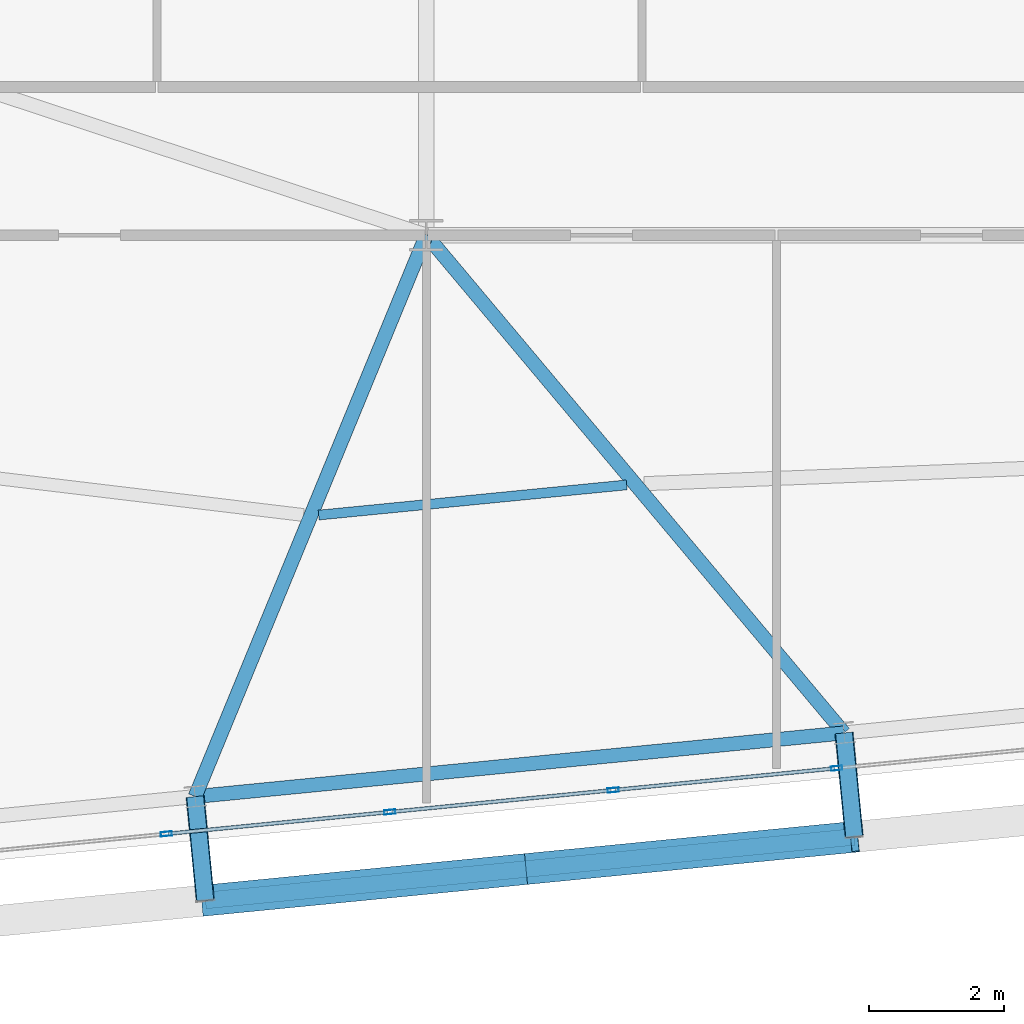
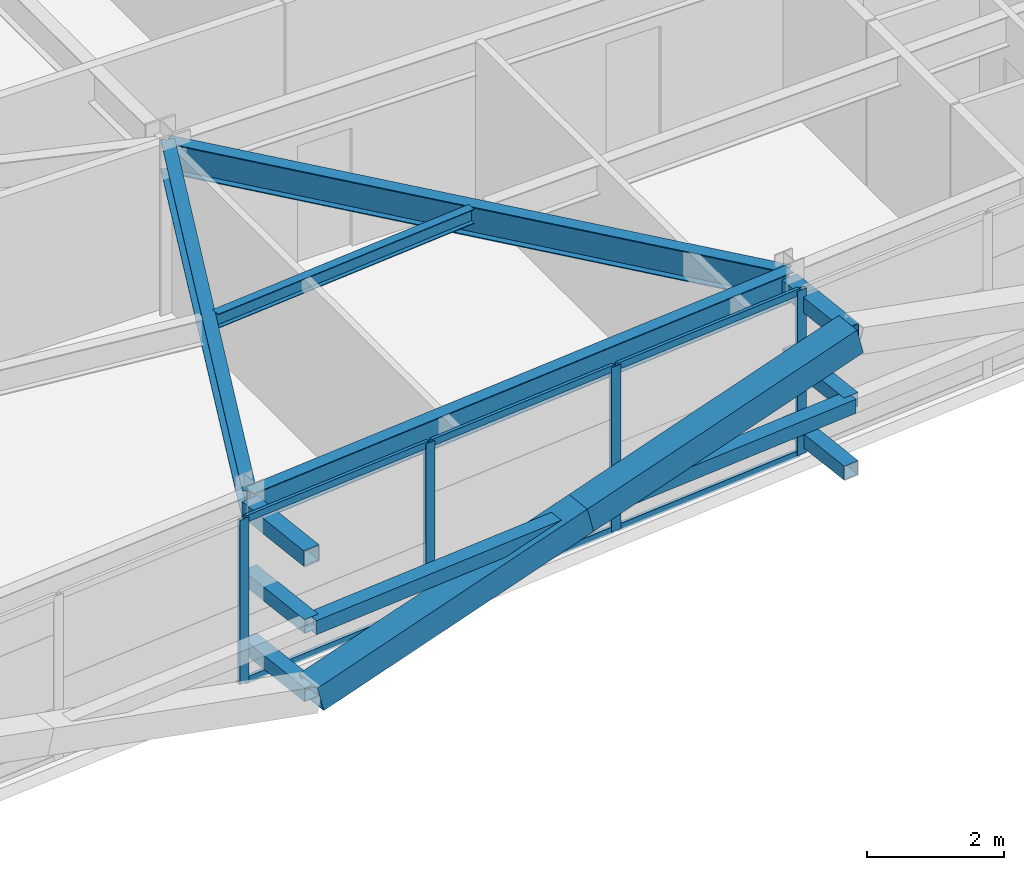
# One storey, part 10 of 52: 19 members, 4 beams, 1 element without a shape of its own.
"""IFC4 building model written with IfcOpenShell, lengths in metres."""

from ifc_helpers import new_model, si_unit, direction, frame, origin, origin_2d, place, context, subcontext, project, spatial, hollow_rectangle, i_section, extrude, source, transform, mapped, material, layer, layer_set, material_profile, profile_set, type_object, element, aggregate, save


model = new_model("IFC4")

# Units and contexts
model_context = context("Model", 3, precision=1e-05, world=origin(), true_north=direction((0.0, 1.0)))
body_context = subcontext(model_context, "Body", "Model", "MODEL_VIEW")
ifc_project = project(units=[si_unit("LENGTHUNIT", "METRE"), si_unit("AREAUNIT", "SQUARE_METRE"), si_unit("VOLUMEUNIT", "CUBIC_METRE"), si_unit("PLANEANGLEUNIT", "RADIAN"), si_unit("MASSUNIT", "GRAM", prefix="KILO")], contexts=[model_context])

# Site, building, storey
site_placement = place(None, origin())
site = spatial("IfcSite", under=ifc_project, at=site_placement, CompositionType="ELEMENT")
building_placement = place(site_placement, origin())
building = spatial("IfcBuilding", under=site, at=building_placement, Name="Taldren Reach Tower", CompositionType="ELEMENT")
storey_placement = place(building_placement, frame((0.0, 0.0, 96.60009765625)))
storey = spatial("IfcBuildingStorey", under=building, at=storey_placement, Name="L29", CompositionType="ELEMENT", Elevation=96.60009765625)

# Beams
ifc_material_1 = material(Name="Steel Gr 350 (350PLUS)", Category="steel")
ifc_material_profile_1 = material_profile(ifc_material_1, i_section(OverallWidth=0.208984375, OverallDepth=0.528076171875, WebThickness=0.009521484375, FlangeThickness=0.01318359375, at=origin_2d()), Name="530UB82.0")
ifc_profile_set_1 = profile_set([ifc_material_profile_1], Name="Steel Gr 350 (350PLUS)")
beam_type_1 = type_object("IfcBeamType", Name="SP-UB530B", PredefinedType="SPANDREL", material=ifc_profile_set_1)
shared_shape_1 = source(origin(), body_context, "Body", "SweptSolid", [
    extrude(i_section(OverallWidth=0.208984375, OverallDepth=0.528076171875, WebThickness=0.009521484375, FlangeThickness=0.01318359375, at=origin_2d()), origin(), (0.0, 0.0, 1.0), 9.679931640625),
])
beam_1_placement = place(storey_placement, frame((24.56787109375, 0.86474609375, 2.666015625), z_axis=(0.995227612658, 0.097580730699, 0.0), x_axis=(-0.097580730699, 0.995227612658, 0.0)))
element("IfcBeam", 1, at=beam_1_placement, inside=storey, type_object=beam_type_1, Name="Perimeter spandrel B2 S2-S3 L29", PredefinedType="SPANDREL", context=body_context, shape_type="MappedRepresentation", body=[
    mapped(shared_shape_1, transform((0.0, 0.0, 0.0), scale=1.0)),
])
ifc_material_profile_2 = material_profile(ifc_material_1, i_section(OverallWidth=0.208984375, OverallDepth=0.532958984375, WebThickness=0.01025390625, FlangeThickness=0.015625, at=origin_2d()), Name="530UB92.4")
ifc_profile_set_2 = profile_set([ifc_material_profile_2], Name="Steel Gr 350 (350PLUS)")
beam_type_2 = type_object("IfcBeamType", Name="BM-UB530A", PredefinedType="BEAM", material=ifc_profile_set_2)
shared_shape_2 = source(origin(), body_context, "Body", "SweptSolid", [
    extrude(i_section(OverallWidth=0.208984375, OverallDepth=0.532958984375, WebThickness=0.01025390625, FlangeThickness=0.015625, at=origin_2d()), origin(), (0.0, 0.0, 1.0), 9.01416015625),
])
beam_2_placement = place(storey_placement, frame((28.0, 9.199951171875, 2.663330078125), z_axis=(-0.380748443035, -0.924678659387, 0.0), x_axis=(0.924678659387, -0.380748443035, 0.0)))
element("IfcBeam", 2, at=beam_2_placement, inside=storey, type_object=beam_type_2, Name="Primary floor girder B2-S2 L29", PredefinedType="BEAM", context=body_context, shape_type="MappedRepresentation", body=[
    mapped(shared_shape_2, transform((0.0, 0.0, 0.0), scale=1.0)),
])
shared_shape_3 = source(origin(), body_context, "Body", "SweptSolid", [
    extrude(i_section(OverallWidth=0.208984375, OverallDepth=0.532958984375, WebThickness=0.01025390625, FlangeThickness=0.015625, at=origin_2d()), origin(), (0.0, 0.0, 1.0), 9.64794921875),
])
beam_3_placement = place(storey_placement, frame((28.0, 9.199951171875, 2.663330078125), z_axis=(0.642799132398, -0.766034774268, 0.0), x_axis=(0.766034774268, 0.642799132398, 0.0)))
element("IfcBeam", 3, at=beam_3_placement, inside=storey, type_object=beam_type_2, Name="Primary floor girder B2-S3 L29", PredefinedType="BEAM", context=body_context, shape_type="MappedRepresentation", body=[
    mapped(shared_shape_3, transform((0.0, 0.0, 0.0), scale=1.0)),
])
ifc_material_2 = material(Name="Steel Gr 300 (300PLUS, 300 MPa)", Category="steel")
ifc_material_profile_3 = material_profile(ifc_material_2, i_section(OverallWidth=0.14599609375, OverallDepth=0.256103515625, WebThickness=0.00634765625, FlangeThickness=0.010986328125, at=origin_2d()), Name="250UB37.3")
ifc_profile_set_3 = profile_set([ifc_material_profile_3], Name="Steel Gr 300 (300PLUS, 300 MPa)")
beam_type_3 = type_object("IfcBeamType", Name="JS-UB250", PredefinedType="JOIST", material=ifc_profile_set_3)
shared_shape_4 = source(origin(), body_context, "Body", "SweptSolid", [
    extrude(i_section(OverallWidth=0.14599609375, OverallDepth=0.256103515625, WebThickness=0.00634765625, FlangeThickness=0.010986328125, at=origin_2d()), origin(), (0.0, 0.0, 1.0), 4.594970703125),
])
beam_4_placement = place(storey_placement, frame((26.40185546875, 5.0439453125, 2.802001953125), z_axis=(0.995230447096, 0.097551817888, 0.0), x_axis=(-0.097551817888, 0.995230447096, 0.0)))
element("IfcBeam", 4, at=beam_4_placement, inside=storey, type_object=beam_type_3, Name="Secondary floor joist B2 J2 L29", PredefinedType="JOIST", context=body_context, shape_type="MappedRepresentation", body=[
    mapped(shared_shape_4, transform((0.0, 0.0, 0.0), scale=1.0)),
])

# Members
ifc_material_3 = material(Name="Steel Gr 450 (C450L0)", Category="steel")
ifc_material_profile_4 = material_profile(ifc_material_3, hollow_rectangle(XDim=0.27490234375, YDim=0.27490234375, WallThickness=0.00927734375, at=origin_2d()), Name="275x275x9.3SHS")
ifc_profile_set_4 = profile_set([ifc_material_profile_4], Name="Steel Gr 450 (C450L0)")
member_type_1 = type_object("IfcMemberType", Name="MB-TIE273", PredefinedType="STRUT", material=ifc_profile_set_4)
shared_shape_5 = source(origin(), body_context, "Body", "SweptSolid", [
    extrude(hollow_rectangle(XDim=0.27490234375, YDim=0.27490234375, WallThickness=0.00927734375, at=origin_2d()), origin(), (0.0, 0.0, 1.0), 1.550048828125),
])
for number, where, z_axis, x_axis, name in (
    (5, (24.56787109375, 0.86474609375, 2.64990234375), (0.097647892962, -0.9952210252, 0.0), (0.9952210252, 0.097647892962, 0.0), "Exoskeleton diaphragm tie strut B2-S2 L29"),
    (6, (34.20166015625, 1.809326171875, 2.64990234375), (0.097647892962, -0.9952210252, 0.0), (0.9952210252, 0.097647892962, 0.0), "Exoskeleton diaphragm tie strut B2-S3 L29"),
):
    element("IfcMember", number, at=place(storey_placement, frame(where, z_axis=z_axis, x_axis=x_axis)), inside=storey, type_object=member_type_1, Name=name, PredefinedType="STRUT", context=body_context, shape_type="MappedRepresentation", body=[
        mapped(shared_shape_5, transform((0.0, 0.0, 0.0), scale=1.0)),
    ])
ifc_material_profile_5 = material_profile(ifc_material_3, hollow_rectangle(XDim=0.4599609375, YDim=0.4599609375, WallThickness=0.01611328125, at=origin_2d()), Name="460x460x16.0SHS")
ifc_profile_set_5 = profile_set([ifc_material_profile_5], Name="Steel Gr 450 (C450L0)")
member_type_2 = type_object("IfcMemberType", Name="MB-EXO457", PredefinedType="BRACE", material=ifc_profile_set_5)
shared_shape_6 = source(origin(), body_context, "Body", "SweptSolid", [
    extrude(hollow_rectangle(XDim=0.4599609375, YDim=0.4599609375, WallThickness=0.01611328125, at=origin_2d()), origin(), (0.0, 0.0, 1.0), 4.990234375),
])
for number, where, z_axis, x_axis, name in (
    (7, (24.71923828125, -0.677978515625, 0.219970703125), (0.965282554799, 0.094669120301, 0.243448859234), (-0.097605711627, 0.995225162995, 0.0), "Exoskeleton Diagrid Brace B2-S2 L29"),
    (8, (29.5361328125, -0.20556640625, 1.434814453125), (0.965275526283, 0.094619506732, 0.243496010862), (-0.097555749586, 0.995230061706, 0.0), "Exoskeleton Diagrid Brace B2-S2 L29"),
):
    element("IfcMember", number, at=place(storey_placement, frame(where, z_axis=z_axis, x_axis=x_axis)), inside=storey, type_object=member_type_2, Name=name, PredefinedType="BRACE", context=body_context, shape_type="MappedRepresentation", body=[
        mapped(shared_shape_6, transform((0.0, 0.0, 0.0), scale=1.0)),
    ])
ifc_material_4 = material(Name="Steel Gr 350 (C350L0)", Category="steel")
ifc_material_profile_6 = material_profile(ifc_material_4, hollow_rectangle(XDim=0.25, YDim=0.25, WallThickness=0.010009765625, at=origin_2d()), Name="250x250x10.0SHS")
ifc_profile_set_6 = profile_set([ifc_material_profile_6], Name="Steel Gr 350 (C350L0)")
member_type_3 = type_object("IfcMemberType", Name="MB-POST250", PredefinedType="POST", material=ifc_profile_set_6)
shared_shape_7 = source(origin(), body_context, "Body", "SweptSolid", [
    extrude(hollow_rectangle(XDim=0.25, YDim=0.25, WallThickness=0.010009765625, at=origin_2d()), origin(), (0.0, 0.0, 1.0), 9.679931640625),
])
member_1_placement = place(storey_placement, frame((24.71923828125, -0.677978515625, 1.434814453125), z_axis=(0.995227612658, 0.097580730699, 0.0), x_axis=(-0.097580730699, 0.995227612658, 0.0)))
element("IfcMember", 9, at=member_1_placement, inside=storey, type_object=member_type_3, Name="Exoskeleton mid-height ring chord B2-S2 L29", PredefinedType="POST", context=body_context, shape_type="MappedRepresentation", body=[
    mapped(shared_shape_7, transform((0.0, 0.0, 0.0), scale=1.0)),
])
shared_shape_8 = source(origin(), body_context, "Body", "SweptSolid", [
    extrude(hollow_rectangle(XDim=0.25, YDim=0.25, WallThickness=0.010009765625, at=origin_2d()), origin(), (0.0, 0.0, 1.0), 1.550048828125),
])
for number, where, z_axis, x_axis, name in (
    (10, (24.56787109375, 0.86474609375, 0.219970703125), (0.097647892962, -0.9952210252, 0.0), (0.9952210252, 0.097647892962, 0.0), "Exoskeleton base diaphragm tie strut B2-S2 L29"),
    (11, (34.20166015625, 1.809326171875, 0.219970703125), (0.097647892962, -0.9952210252, 0.0), (0.9952210252, 0.097647892962, 0.0), "Exoskeleton base diaphragm tie strut B2-S3 L29"),
    (12, (24.56787109375, 0.86474609375, 1.434814453125), (0.097647892962, -0.9952210252, 0.0), (0.9952210252, 0.097647892962, 0.0), "Exoskeleton mid-tier diaphragm tie B2-S2 L29"),
    (13, (34.20166015625, 1.809326171875, 1.434814453125), (0.097647892962, -0.9952210252, 0.0), (0.9952210252, 0.097647892962, 0.0), "Exoskeleton mid-tier diaphragm tie B2-S3 L29"),
):
    element("IfcMember", number, at=place(storey_placement, frame(where, z_axis=z_axis, x_axis=x_axis)), inside=storey, type_object=member_type_3, Name=name, PredefinedType="POST", context=body_context, shape_type="MappedRepresentation", body=[
        mapped(shared_shape_8, transform((0.0, 0.0, 0.0), scale=1.0)),
    ])

# Curtain wall, members
ifc_material_5 = material(Name="Aluminium and Low-E Glass Unitised System", Category="aluminium")
ifc_layer = layer(ifc_material_5, 0.159912109375)
ifc_layer_set = layer_set([ifc_layer], Name="Aluminium and Low-E Glass Unitised System")
curtain_wall_type = type_object("IfcCurtainWallType", Name="CW-SYS-3", PredefinedType="NOTDEFINED", material=ifc_layer_set)
curtain_wall_placement = place(storey_placement, origin())
curtain_wall = element("IfcCurtainWall", 14, at=curtain_wall_placement, inside=storey, type_object=curtain_wall_type, Name="Unitised curtain wall CW-L29-S", PredefinedType="NOTDEFINED")
ifc_material_6 = material(Name="Anodised Aluminium 6063-T6", Category="aluminium")
ifc_material_profile_7 = material_profile(ifc_material_6, hollow_rectangle(XDim=0.06494140625, YDim=0.1650390625, WallThickness=0.00390625, at=origin_2d()), Name="ALU-165x65x4RHS")
ifc_profile_set_7 = profile_set([ifc_material_profile_7], Name="Anodised Aluminium 6063-T6")
member_type_4 = type_object("IfcMemberType", Name="CW-MUL-165", PredefinedType="MULLION", material=ifc_profile_set_7)
shared_shape_9 = source(origin(), body_context, "Body", "SweptSolid", [
    extrude(hollow_rectangle(XDim=0.06494140625, YDim=0.1650390625, WallThickness=0.00390625, at=origin_2d()), origin(), (0.0, 0.0, 1.0), 2.929931640625),
])
member_2_placement = place(storey_placement, frame((24.14013671875, 0.310302734375, 0.0), z_axis=(0.0, 0.0, 1.0), x_axis=(-0.097582999046, 0.995227390247, 0.0)))
member_2 = element("IfcMember", 15, at=member_2_placement, type_object=member_type_4, Name="CW-3 mullion 4", PredefinedType="MULLION", context=body_context, shape_type="MappedRepresentation", body=[
    mapped(shared_shape_9, transform((0.0, 0.0, 0.0), scale=1.0)),
])
member_3_placement = place(storey_placement, frame((27.45751953125, 0.635498046875, 0.0), z_axis=(0.0, 0.0, 1.0), x_axis=(-0.097582999046, 0.995227390247, 0.0)))
member_3 = element("IfcMember", 16, at=member_3_placement, type_object=member_type_4, Name="CW-3 mullion 5", PredefinedType="MULLION", context=body_context, shape_type="MappedRepresentation", body=[
    mapped(shared_shape_9, transform((0.0, 0.0, 0.0), scale=1.0)),
])
member_4_placement = place(storey_placement, frame((30.77490234375, 0.9609375, 0.0), z_axis=(0.0, 0.0, 1.0), x_axis=(-0.097582999046, 0.995227390247, 0.0)))
member_4 = element("IfcMember", 17, at=member_4_placement, type_object=member_type_4, Name="CW-3 mullion 6", PredefinedType="MULLION", context=body_context, shape_type="MappedRepresentation", body=[
    mapped(shared_shape_9, transform((0.0, 0.0, 0.0), scale=1.0)),
])
member_5_placement = place(storey_placement, frame((34.09228515625, 1.2861328125, 0.0), z_axis=(0.0, 0.0, 1.0), x_axis=(-0.097582999046, 0.995227390247, 0.0)))
member_5 = element("IfcMember", 18, at=member_5_placement, type_object=member_type_4, Name="CW-3 mullion 7", PredefinedType="MULLION", context=body_context, shape_type="MappedRepresentation", body=[
    mapped(shared_shape_9, transform((0.0, 0.0, 0.0), scale=1.0)),
])
ifc_material_profile_8 = material_profile(ifc_material_6, hollow_rectangle(XDim=0.054931640625, YDim=0.1201171875, WallThickness=0.0029296875, at=origin_2d()), Name="ALU-120x55x3RHS")
ifc_profile_set_8 = profile_set([ifc_material_profile_8], Name="Anodised Aluminium 6063-T6")
member_type_5 = type_object("IfcMemberType", Name="CW-TRN-135", PredefinedType="USERDEFINED", material=ifc_profile_set_8)
shared_shape_10 = source(origin(), body_context, "Body", "SweptSolid", [
    extrude(hollow_rectangle(XDim=0.054931640625, YDim=0.1201171875, WallThickness=0.0029296875, at=origin_2d()), origin(), (0.0, 0.0, 1.0), 3.268310546875),
])
member_6_placement = place(storey_placement, frame((24.17236328125, 0.3134765625, 0.02734375), z_axis=(0.99522980512, 0.097558367146, 0.0), x_axis=(-0.097558367146, 0.99522980512, 0.0)))
member_6 = element("IfcMember", 19, at=member_6_placement, type_object=member_type_5, Name="CW-3 transom 4.1", ObjectType="TRANSOM", PredefinedType="USERDEFINED", context=body_context, shape_type="MappedRepresentation", body=[
    mapped(shared_shape_10, transform((0.0, 0.0, 0.0), scale=1.0)),
])
member_7_placement = place(storey_placement, frame((24.17236328125, 0.3134765625, 2.90234375), z_axis=(0.99522980512, 0.097558367146, 0.0), x_axis=(-0.097558367146, 0.99522980512, 0.0)))
member_7 = element("IfcMember", 20, at=member_7_placement, type_object=member_type_5, Name="CW-3 transom 4.2", ObjectType="TRANSOM", PredefinedType="USERDEFINED", context=body_context, shape_type="MappedRepresentation", body=[
    mapped(shared_shape_10, transform((0.0, 0.0, 0.0), scale=1.0)),
])
member_8_placement = place(storey_placement, frame((27.48974609375, 0.638671875, 0.02734375), z_axis=(0.995222549564, 0.097632355496, 0.0), x_axis=(-0.097632355496, 0.995222549564, 0.0)))
member_8 = element("IfcMember", 21, at=member_8_placement, type_object=member_type_5, Name="CW-3 transom 5.1", ObjectType="TRANSOM", PredefinedType="USERDEFINED", context=body_context, shape_type="MappedRepresentation", body=[
    mapped(shared_shape_10, transform((0.0, 0.0, 0.0), scale=1.0)),
])
member_9_placement = place(storey_placement, frame((27.48974609375, 0.638671875, 2.90234375), z_axis=(0.995222549564, 0.097632355496, 0.0), x_axis=(-0.097632355496, 0.995222549564, 0.0)))
member_9 = element("IfcMember", 22, at=member_9_placement, type_object=member_type_5, Name="CW-3 transom 5.2", ObjectType="TRANSOM", PredefinedType="USERDEFINED", context=body_context, shape_type="MappedRepresentation", body=[
    mapped(shared_shape_10, transform((0.0, 0.0, 0.0), scale=1.0)),
])
shared_shape_11 = source(origin(), body_context, "Body", "SweptSolid", [
    extrude(hollow_rectangle(XDim=0.054931640625, YDim=0.1201171875, WallThickness=0.0029296875, at=origin_2d()), origin(), (0.0, 0.0, 1.0), 3.2685546875),
])
member_10_placement = place(storey_placement, frame((30.80712890625, 0.964111328125, 0.02734375), z_axis=(0.99523051601, 0.097551114824, 0.0), x_axis=(-0.097551114824, 0.99523051601, 0.0)))
member_10 = element("IfcMember", 23, at=member_10_placement, type_object=member_type_5, Name="CW-3 transom 6.1", ObjectType="TRANSOM", PredefinedType="USERDEFINED", context=body_context, shape_type="MappedRepresentation", body=[
    mapped(shared_shape_11, transform((0.0, 0.0, 0.0), scale=1.0)),
])
member_11_placement = place(storey_placement, frame((30.80712890625, 0.964111328125, 2.90234375), z_axis=(0.99523051601, 0.097551114824, 0.0), x_axis=(-0.097551114824, 0.99523051601, 0.0)))
member_11 = element("IfcMember", 24, at=member_11_placement, type_object=member_type_5, Name="CW-3 transom 6.2", ObjectType="TRANSOM", PredefinedType="USERDEFINED", context=body_context, shape_type="MappedRepresentation", body=[
    mapped(shared_shape_11, transform((0.0, 0.0, 0.0), scale=1.0)),
])
aggregate(curtain_wall, [member_2, member_3, member_4, member_5, member_6, member_7, member_8, member_9, member_10, member_11])

save(model, "model.ifc")
